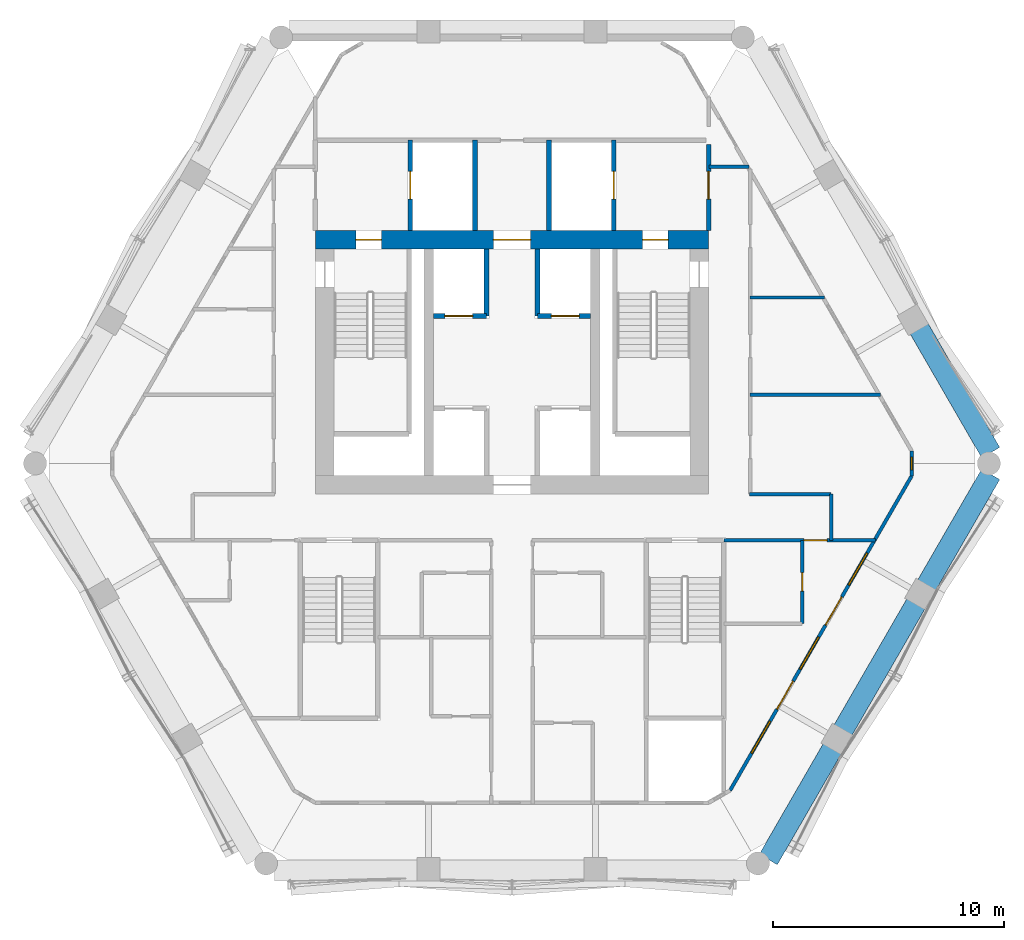
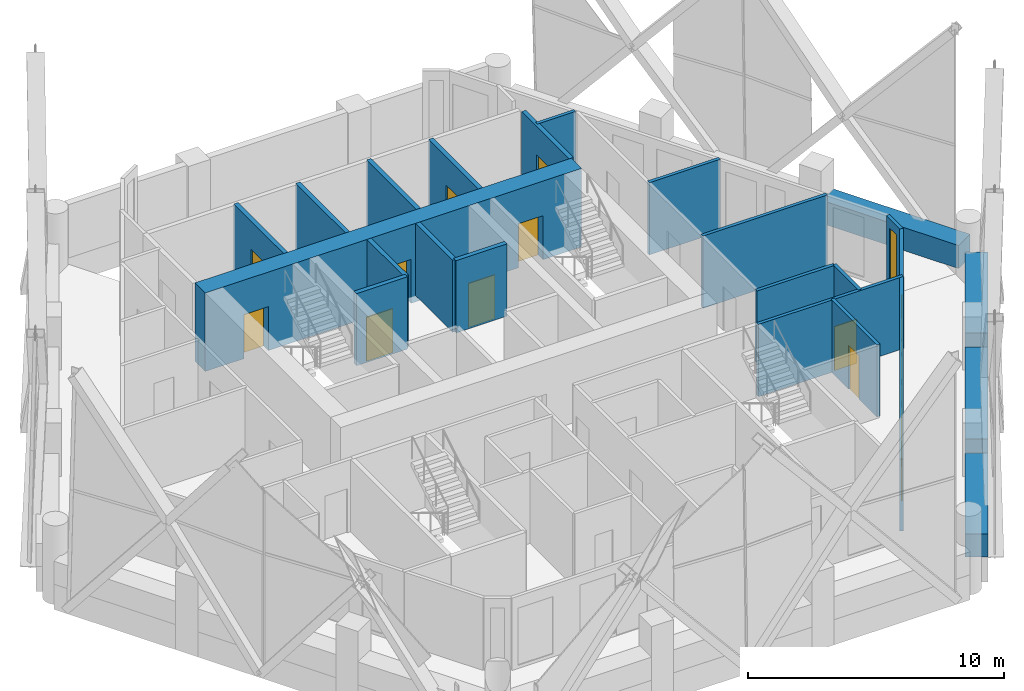
# One storey, part 12 of 18: 23 walls, 12 doors, 4 windows, 16 openings.
"""IFC4 building model written with IfcOpenShell, lengths in metres."""

from ifc_helpers import new_model, si_unit, direction, frame, frame_2d, origin, place, context, subcontext, project, spatial, rectangle, extrude, material, layer, layer_set, type_object, element, fill, save


model = new_model("IFC4")

# Units and contexts
model_context = context("Model", 3, precision=1e-05, world=origin(), true_north=direction((0.0, 1.0)))
body_context = subcontext(model_context, "Body", "Model", "MODEL_VIEW")
ifc_project = project(units=[si_unit("LENGTHUNIT", "METRE"), si_unit("AREAUNIT", "SQUARE_METRE"), si_unit("VOLUMEUNIT", "CUBIC_METRE"), si_unit("PLANEANGLEUNIT", "RADIAN"), si_unit("MASSUNIT", "GRAM", prefix="KILO")], contexts=[model_context])

# Site, building, storey
site_placement = place(None, origin())
site = spatial("IfcSite", under=ifc_project, at=site_placement, CompositionType="ELEMENT")
building_placement = place(site_placement, origin())
building = spatial("IfcBuilding", under=site, at=building_placement, Name="Ostrander Bayou Hotel Tower", CompositionType="ELEMENT")
storey_placement = place(building_placement, frame((0.0, 0.0, 175.75)))
storey = spatial("IfcBuildingStorey", under=building, at=storey_placement, Name="L43", CompositionType="ELEMENT", Elevation=175.75)

# Wall, openings, doors
ifc_material_1 = material(Name="Concrete f'c 60 MPa", Category="concrete")
ifc_layer_1 = layer(ifc_material_1, 0.800048828125)
ifc_layer_set_1 = layer_set([ifc_layer_1], Name="CW7 core wall 800 mm f'c 60 MPa")
wall_type_1 = type_object("IfcWallType", Name="CW7 core wall 800 mm f'c 60 MPa", PredefinedType="SHEAR", material=ifc_layer_set_1)
wall_1_placement = place(storey_placement, frame((-8.5, 9.300048828125, -0.300048828125), z_axis=(0.0, 0.0, 1.0), x_axis=(1.0, 0.0, 0.0)))
wall_1 = element("IfcWall", 1, at=wall_1_placement, inside=storey, type_object=wall_type_1, Name="CW7 L43 N", PredefinedType="SHEAR", context=body_context, shape_type="SweptSolid", body=[
    extrude(rectangle(XDim=17.0, YDim=0.800048828125, at=frame_2d((8.5, 0.0))), origin(), (0.0, 0.0, 1.0), 3.75),
])
opening_1_placement = place(wall_1_placement, frame((7.699951171875, 0.0, 0.0)))
opening_1 = element("IfcOpeningElement", 2, at=opening_1_placement, cuts=wall_1, Name="Opening T41-006", PredefinedType="OPENING", context=body_context, shape_type="SweptSolid", body=[
    extrude(rectangle(XDim=1.60009765625, YDim=2.10009765625, at=frame_2d((0.800048828125, 1.050048828125))), frame((0.0, 0.39990234375, 0.0), z_axis=(0.0, -1.0, 0.0), x_axis=(1.0, 0.0, 0.0)), (0.0, 0.0, 1.0), 0.800048828125),
])
opening_2_placement = place(wall_1_placement, frame((1.75, 0.0, 0.0)))
opening_2 = element("IfcOpeningElement", 3, at=opening_2_placement, cuts=wall_1, Name="Opening T41-007", PredefinedType="OPENING", context=body_context, shape_type="SweptSolid", body=[
    extrude(rectangle(XDim=1.10009765625, YDim=2.10009765625, at=frame_2d((0.550048828125, 1.050048828125))), frame((0.0, 0.39990234375, 0.0), z_axis=(0.0, -1.0, 0.0), x_axis=(1.0, 0.0, 0.0)), (0.0, 0.0, 1.0), 0.800048828125),
])
opening_3_placement = place(wall_1_placement, frame((14.14990234375, 0.0, 0.0)))
opening_3 = element("IfcOpeningElement", 4, at=opening_3_placement, cuts=wall_1, Name="Opening T41-009", PredefinedType="OPENING", context=body_context, shape_type="SweptSolid", body=[
    extrude(rectangle(XDim=1.10009765625, YDim=2.10009765625, at=frame_2d((0.550048828125, 1.050048828125))), frame((0.0, 0.39990234375, 0.0), z_axis=(0.0, -1.0, 0.0), x_axis=(1.0, 0.0, 0.0)), (0.0, 0.0, 1.0), 0.800048828125),
])
ifc_material_2 = material(Name="Timber door leaf", Category="wood")
door_type_1 = type_object("IfcDoorType", Name="D13 double door 1600 x 2100 mm, 1 hour", OperationType="SINGLE_SWING_LEFT", PredefinedType="DOOR", material=ifc_material_2)
door_1_placement = place(opening_1_placement, origin())
door_1 = element("IfcDoor", 5, at=door_1_placement, inside=storey, type_object=door_type_1, Name="dr:L43:006", OperationType="DOUBLE_DOOR_SINGLE_SWING", OverallHeight=2.10009765625, OverallWidth=1.60009765625, PredefinedType="DOOR", context=body_context, shape_type="SweptSolid", body=[
    extrude(rectangle(XDim=1.60009765625, YDim=2.10009765625, at=frame_2d((0.800048828125, 1.050048828125))), frame((0.0, 0.02490234375, 0.0), z_axis=(0.0, -1.0, 0.0), x_axis=(1.0, 0.0, 0.0)), (0.0, 0.0, 1.0), 0.050048828125),
])
fill(opening_1, door_1)
ifc_material_3 = material(Name="Timber door leaf", Category="wood")
door_type_2 = type_object("IfcDoorType", Name="D5 stair door 1100 x 2100 mm, 90 minute", OperationType="SINGLE_SWING_LEFT", PredefinedType="DOOR", material=ifc_material_3)
door_2_placement = place(opening_2_placement, origin())
door_2 = element("IfcDoor", 6, at=door_2_placement, inside=storey, type_object=door_type_2, Name="dr:L43:007", OperationType="SINGLE_SWING_LEFT", OverallHeight=2.10009765625, OverallWidth=1.10009765625, PredefinedType="DOOR", context=body_context, shape_type="SweptSolid", body=[
    extrude(rectangle(XDim=1.10009765625, YDim=2.10009765625, at=frame_2d((0.550048828125, 1.050048828125))), frame((0.0, 0.02490234375, 0.0), z_axis=(0.0, -1.0, 0.0), x_axis=(1.0, 0.0, 0.0)), (0.0, 0.0, 1.0), 0.050048828125),
])
fill(opening_2, door_2)
door_3_placement = place(opening_3_placement, origin())
door_3 = element("IfcDoor", 7, at=door_3_placement, inside=storey, type_object=door_type_2, Name="dr:L43:009", OperationType="SINGLE_SWING_RIGHT", OverallHeight=2.10009765625, OverallWidth=1.10009765625, PredefinedType="DOOR", context=body_context, shape_type="SweptSolid", body=[
    extrude(rectangle(XDim=1.10009765625, YDim=2.10009765625, at=frame_2d((0.550048828125, 1.050048828125))), frame((0.0, 0.02490234375, 0.0), z_axis=(0.0, -1.0, 0.0), x_axis=(1.0, 0.0, 0.0)), (0.0, 0.0, 1.0), 0.050048828125),
])
fill(opening_3, door_3)

# Wall, openings, doors, windows
ifc_material_4 = material(Name="Aluminium framed insulated wall", Category="aluminium")
ifc_layer_2 = layer(ifc_material_4, 0.14990234375)
ifc_layer_set_2 = layer_set([ifc_layer_2], Name="GW1 glass-line wall 150 mm")
wall_type_2 = type_object("IfcWallType", Name="GW1 glass-line wall 150 mm", PredefinedType="SOLIDWALL", material=ifc_layer_set_2)
wall_2_placement = place(storey_placement, frame((9.430419921875, -14.51611328125, 0.0), z_axis=(0.0, 0.0, 1.0), x_axis=(0.500004460396, 0.866022828558, 0.0)))
wall_2 = element("IfcWall", 8, at=wall_2_placement, inside=storey, type_object=wall_type_2, Name="GW1 L43 SE 1", PredefinedType="SOLIDWALL", context=body_context, shape_type="SweptSolid", body=[
    extrude(rectangle(XDim=15.712158203125, YDim=0.14990234375, at=frame_2d((7.85595703125, 0.0))), origin(), (0.0, 0.0, 1.0), 3.449951171875),
])
opening_4_placement = place(wall_2_placement, frame((1.856201171875, 0.0, 0.14990234375)))
opening_4 = element("IfcOpeningElement", 9, at=opening_4_placement, cuts=wall_2, Name="Opening W3", PredefinedType="OPENING", context=body_context, shape_type="SweptSolid", body=[
    extrude(rectangle(XDim=1.60009765625, YDim=2.85009765625, at=frame_2d((0.800048828125, 1.425048828125))), frame((0.0, 0.074951171875, 0.0), z_axis=(0.0, -1.0, 0.0), x_axis=(1.0, 0.0, 0.0)), (0.0, 0.0, 1.0), 0.14990234375),
])
opening_5_placement = place(wall_2_placement, frame((4.05615234375, 0.0, 0.0)))
opening_5 = element("IfcOpeningElement", 10, at=opening_5_placement, cuts=wall_2, Name="Opening T41-804", PredefinedType="OPENING", context=body_context, shape_type="SweptSolid", body=[
    extrude(rectangle(XDim=1.39990234375, YDim=2.39990234375, at=frame_2d((0.699951171875, 1.199951171875))), frame((0.0, 0.074951171875, 0.0), z_axis=(0.0, -1.0, 0.0), x_axis=(1.0, 0.0, 0.0)), (0.0, 0.0, 1.0), 0.14990234375),
])
opening_6_placement = place(wall_2_placement, frame((6.05615234375, 0.0, 0.14990234375)))
opening_6 = element("IfcOpeningElement", 11, at=opening_6_placement, cuts=wall_2, Name="Opening W3", PredefinedType="OPENING", context=body_context, shape_type="SweptSolid", body=[
    extrude(rectangle(XDim=1.60009765625, YDim=2.85009765625, at=frame_2d((0.800048828125, 1.425048828125))), frame((0.0, 0.074951171875, 0.0), z_axis=(0.0, -1.0, 0.0), x_axis=(1.0, 0.0, 0.0)), (0.0, 0.0, 1.0), 0.14990234375),
])
opening_7_placement = place(wall_2_placement, frame((8.256103515625, 0.0, 0.0)))
opening_7 = element("IfcOpeningElement", 12, at=opening_7_placement, cuts=wall_2, Name="Opening T41-805", PredefinedType="OPENING", context=body_context, shape_type="SweptSolid", body=[
    extrude(rectangle(XDim=1.39990234375, YDim=2.39990234375, at=frame_2d((0.699951171875, 1.199951171875))), frame((0.0, 0.074951171875, 0.0), z_axis=(0.0, -1.0, 0.0), x_axis=(1.0, 0.0, 0.0)), (0.0, 0.0, 1.0), 0.14990234375),
])
opening_8_placement = place(wall_2_placement, frame((10.256103515625, 0.0, 0.14990234375)))
opening_8 = element("IfcOpeningElement", 13, at=opening_8_placement, cuts=wall_2, Name="Opening W3", PredefinedType="OPENING", context=body_context, shape_type="SweptSolid", body=[
    extrude(rectangle(XDim=1.60009765625, YDim=2.85009765625, at=frame_2d((0.800048828125, 1.425048828125))), frame((0.0, 0.074951171875, 0.0), z_axis=(0.0, -1.0, 0.0), x_axis=(1.0, 0.0, 0.0)), (0.0, 0.0, 1.0), 0.14990234375),
])
ifc_material_5 = material(Name="Aluminium and clear glass", Category="aluminium")
door_type_3 = type_object("IfcDoorType", Name="SD3 sliding glass door 1400 mm, zone 3", OperationType="SLIDING_TO_LEFT", PredefinedType="DOOR", material=ifc_material_5)
door_4_placement = place(opening_5_placement, origin())
door_4 = element("IfcDoor", 14, at=door_4_placement, inside=storey, type_object=door_type_3, Name="SD3 L43 SE 1", OperationType="SLIDING_TO_LEFT", OverallHeight=2.39990234375, OverallWidth=1.39990234375, PredefinedType="DOOR", context=body_context, shape_type="SweptSolid", body=[
    extrude(rectangle(XDim=1.39990234375, YDim=2.39990234375, at=frame_2d((0.699951171875, 1.199951171875))), frame((0.0, 0.02490234375, 0.0), z_axis=(0.0, -1.0, 0.0), x_axis=(1.0, 0.0, 0.0)), (0.0, 0.0, 1.0), 0.050048828125),
])
fill(opening_5, door_4)
door_5_placement = place(opening_7_placement, origin())
door_5 = element("IfcDoor", 15, at=door_5_placement, inside=storey, type_object=door_type_3, Name="SD3 L43 SE 2", OperationType="SLIDING_TO_RIGHT", OverallHeight=2.39990234375, OverallWidth=1.39990234375, PredefinedType="DOOR", context=body_context, shape_type="SweptSolid", body=[
    extrude(rectangle(XDim=1.39990234375, YDim=2.39990234375, at=frame_2d((0.699951171875, 1.199951171875))), frame((0.0, 0.02490234375, 0.0), z_axis=(0.0, -1.0, 0.0), x_axis=(1.0, 0.0, 0.0)), (0.0, 0.0, 1.0), 0.050048828125),
])
fill(opening_7, door_5)
ifc_material_6 = material(Name="Aluminium and clear glass", Category="aluminium")
window_type_1 = type_object("IfcWindowType", Name="W3 fixed window 1600 mm, zone 3", PartitioningType="SINGLE_PANEL", PredefinedType="WINDOW", material=ifc_material_6)
window_1_placement = place(opening_4_placement, origin())
window_1 = element("IfcWindow", 16, at=window_1_placement, inside=storey, type_object=window_type_1, Name="W3 L43 SE 1", OverallHeight=2.85009765625, OverallWidth=1.60009765625, PartitioningType="SINGLE_PANEL", PredefinedType="WINDOW", context=body_context, shape_type="SweptSolid", body=[
    extrude(rectangle(XDim=1.60009765625, YDim=2.85009765625, at=frame_2d((0.800048828125, 1.425048828125))), frame((0.0, 0.030029296875, 0.0), z_axis=(0.0, -1.0, 0.0), x_axis=(1.0, 0.0, 0.0)), (0.0, 0.0, 1.0), 0.06005859375),
])
fill(opening_4, window_1)
window_2_placement = place(opening_6_placement, origin())
window_2 = element("IfcWindow", 17, at=window_2_placement, inside=storey, type_object=window_type_1, Name="W3 L43 SE 2", OverallHeight=2.85009765625, OverallWidth=1.60009765625, PartitioningType="SINGLE_PANEL", PredefinedType="WINDOW", context=body_context, shape_type="SweptSolid", body=[
    extrude(rectangle(XDim=1.60009765625, YDim=2.85009765625, at=frame_2d((0.800048828125, 1.425048828125))), frame((0.0, 0.030029296875, 0.0), z_axis=(0.0, -1.0, 0.0), x_axis=(1.0, 0.0, 0.0)), (0.0, 0.0, 1.0), 0.06005859375),
])
fill(opening_6, window_2)
window_3_placement = place(opening_8_placement, origin())
window_3 = element("IfcWindow", 18, at=window_3_placement, inside=storey, type_object=window_type_1, Name="W3 L43 SE 3", OverallHeight=2.85009765625, OverallWidth=1.60009765625, PartitioningType="SINGLE_PANEL", PredefinedType="WINDOW", context=body_context, shape_type="SweptSolid", body=[
    extrude(rectangle(XDim=1.60009765625, YDim=2.85009765625, at=frame_2d((0.800048828125, 1.425048828125))), frame((0.0, 0.030029296875, 0.0), z_axis=(0.0, -1.0, 0.0), x_axis=(1.0, 0.0, 0.0)), (0.0, 0.0, 1.0), 0.06005859375),
])
fill(opening_8, window_3)

# Wall, opening, window
wall_3_placement = place(storey_placement, frame((17.28662109375, -0.908935546875, 0.0), z_axis=(0.0, 0.0, 1.0), x_axis=(0.0, 1.0, 0.0)))
wall_3 = element("IfcWall", 19, at=wall_3_placement, inside=storey, type_object=wall_type_2, Name="GW1 L43 corner 5", PredefinedType="SOLIDWALL", context=body_context, shape_type="SweptSolid", body=[
    extrude(rectangle(XDim=1.06494140625, YDim=0.14990234375, at=frame_2d((0.532470703125, 0.0))), origin(), (0.0, 0.0, 1.0), 3.449951171875),
])
opening_9_placement = place(wall_3_placement, frame((0.257568359375, 0.0, 0.14990234375)))
opening_9 = element("IfcOpeningElement", 20, at=opening_9_placement, cuts=wall_3, Name="Opening W19", PredefinedType="OPENING", context=body_context, shape_type="SweptSolid", body=[
    extrude(rectangle(XDim=0.550048828125, YDim=2.85009765625, at=frame_2d((0.27490234375, 1.425048828125))), frame((0.0, 0.074951171875, 0.0), z_axis=(0.0, -1.0, 0.0), x_axis=(1.0, 0.0, 0.0)), (0.0, 0.0, 1.0), 0.14990234375),
])
ifc_material_7 = material(Name="Aluminium and clear glass", Category="aluminium")
window_type_2 = type_object("IfcWindowType", Name="W19 corner window 550 mm", PartitioningType="SINGLE_PANEL", PredefinedType="WINDOW", material=ifc_material_7)
window_4_placement = place(opening_9_placement, origin())
window_4 = element("IfcWindow", 21, at=window_4_placement, inside=storey, type_object=window_type_2, Name="W19 L43 corner 5", OverallHeight=2.85009765625, OverallWidth=0.550048828125, PartitioningType="SINGLE_PANEL", PredefinedType="WINDOW", context=body_context, shape_type="SweptSolid", body=[
    extrude(rectangle(XDim=0.550048828125, YDim=2.85009765625, at=frame_2d((0.27490234375, 1.425048828125))), frame((0.0, 0.030029296875, 0.0), z_axis=(0.0, -1.0, 0.0), x_axis=(1.0, 0.0, 0.0)), (0.0, 0.0, 1.0), 0.06005859375),
])
fill(opening_9, window_4)

# Walls
ifc_material_8 = material(Name="Concrete f'c 40 MPa", Category="concrete")
ifc_layer_3 = layer(ifc_material_8, 0.89990234375)
ifc_layer_set_3 = layer_set([ifc_layer_3], Name="PA1 stone-faced parapet 900 mm")
wall_type_3 = type_object("IfcWallType", Name="PA1 stone-faced parapet 900 mm", PredefinedType="PARAPET", material=ifc_layer_set_3)
wall_4_placement = place(storey_placement, frame((20.7001953125, 0.09326171875, 0.0), z_axis=(0.0, 0.0, 1.0), x_axis=(-0.500000533151, 0.866025095969, 0.0)))
element("IfcWall", 22, at=wall_4_placement, inside=storey, type_object=wall_type_3, Name="PA1 L43 NE-1", PredefinedType="PARAPET", context=body_context, shape_type="SweptSolid", body=[
    extrude(rectangle(XDim=6.18115234375, YDim=0.89990234375, at=frame_2d((3.090576171875, 0.0))), origin(), (0.0, 0.0, 1.0), 1.10009765625),
])
ifc_material_9 = material(Name="Limestone masonry", Category="masonry")
ifc_layer_4 = layer(ifc_material_9, 0.89990234375)
ifc_layer_set_4 = layer_set([ifc_layer_4], Name="PA2 limestone parapet 900 mm")
wall_type_4 = type_object("IfcWallType", Name="PA2 limestone parapet 900 mm", PredefinedType="PARAPET", material=ifc_layer_set_4)
wall_5_placement = place(storey_placement, frame((11.0830078125, -17.50390625, 0.0), z_axis=(0.0, 0.0, 1.0), x_axis=(0.499961976493, 0.866047355554, 0.0)))
element("IfcWall", 23, at=wall_5_placement, inside=storey, type_object=wall_type_4, Name="PA2 L43 SE-1", PredefinedType="PARAPET", context=body_context, shape_type="SweptSolid", body=[
    extrude(rectangle(XDim=5.529296875, YDim=0.89990234375, at=frame_2d((2.7646484375, 0.0))), origin(), (0.0, 0.0, 1.0), 1.10009765625),
])
wall_6_placement = place(storey_placement, frame((14.3173828125, -11.9013671875, 0.0), z_axis=(0.0, 0.0, 1.0), x_axis=(0.500013351051, 0.866017695414, 0.0)))
element("IfcWall", 24, at=wall_6_placement, inside=storey, type_object=wall_type_4, Name="PA2 L43 SE-2", PredefinedType="PARAPET", context=body_context, shape_type="SweptSolid", body=[
    extrude(rectangle(XDim=6.296142578125, YDim=0.89990234375, at=frame_2d((3.14794921875, 0.0))), origin(), (0.0, 0.0, 1.0), 1.10009765625),
])
wall_7_placement = place(storey_placement, frame((17.935546875, -5.634521484375, 0.0), z_axis=(0.0, 0.0, 1.0), x_axis=(0.500014212531, 0.86601719802, 0.0)))
element("IfcWall", 25, at=wall_7_placement, inside=storey, type_object=wall_type_4, Name="PA2 L43 SE-3", PredefinedType="PARAPET", context=body_context, shape_type="SweptSolid", body=[
    extrude(rectangle(XDim=5.529052734375, YDim=0.89990234375, at=frame_2d((2.7646484375, 0.0))), origin(), (0.0, 0.0, 1.0), 1.10009765625),
])

# Wall, opening, door
ifc_material_10 = material(Name="Masonry block", Category="masonry")
ifc_layer_5 = layer(ifc_material_10, 0.199951171875)
ifc_layer_set_5 = layer_set([ifc_layer_5], Name="PT5 stair enclosure wall 200 mm masonry, 2 hour")
wall_type_5 = type_object("IfcWallType", Name="PT5 stair enclosure wall 200 mm masonry, 2 hour", PredefinedType="PARTITIONING", material=ifc_layer_set_5)
wall_8_placement = place(storey_placement, frame((8.5, 9.699951171875, 0.0), z_axis=(0.0, 0.0, 1.0), x_axis=(0.0, 1.0, 0.0)))
wall_8 = element("IfcWall", 26, at=wall_8_placement, inside=storey, type_object=wall_type_5, Name="cs:L43:025", PredefinedType="PARTITIONING", context=body_context, shape_type="SweptSolid", body=[
    extrude(rectangle(XDim=3.724853515625, YDim=0.199951171875, at=frame_2d((1.8623046875, 0.0))), origin(), (0.0, 0.0, 1.0), 3.449951171875),
])
opening_10_placement = place(wall_8_placement, frame((1.35009765625, 0.0, 0.0)))
opening_10 = element("IfcOpeningElement", 27, at=opening_10_placement, cuts=wall_8, Name="Opening T41-016", PredefinedType="OPENING", context=body_context, shape_type="SweptSolid", body=[
    extrude(rectangle(XDim=1.199951171875, YDim=2.10009765625, at=frame_2d((0.60009765625, 1.050048828125))), frame((0.0, 0.10009765625, 0.0), z_axis=(0.0, -1.0, 0.0), x_axis=(1.0, 0.0, 0.0)), (0.0, 0.0, 1.0), 0.199951171875),
])
ifc_material_11 = material(Name="Timber door leaf", Category="wood")
door_type_4 = type_object("IfcDoorType", Name="D7 lobby door 1200 x 2100 mm, 1 hour", OperationType="SINGLE_SWING_LEFT", PredefinedType="DOOR", material=ifc_material_11)
door_6_placement = place(opening_10_placement, origin())
door_6 = element("IfcDoor", 28, at=door_6_placement, inside=storey, type_object=door_type_4, Name="dr:L43:016", OperationType="SINGLE_SWING_LEFT", OverallHeight=2.10009765625, OverallWidth=1.199951171875, PredefinedType="DOOR", context=body_context, shape_type="SweptSolid", body=[
    extrude(rectangle(XDim=1.199951171875, YDim=2.10009765625, at=frame_2d((0.60009765625, 1.050048828125))), frame((0.0, 0.02490234375, 0.0), z_axis=(0.0, -1.0, 0.0), x_axis=(1.0, 0.0, 0.0)), (0.0, 0.0, 1.0), 0.050048828125),
])
fill(opening_10, door_6)

wall_9_placement = place(storey_placement, frame((-4.39990234375, 9.699951171875, 0.0), z_axis=(0.0, 0.0, 1.0), x_axis=(0.0, 1.0, 0.0)))
wall_9 = element("IfcWall", 29, at=wall_9_placement, inside=storey, type_object=wall_type_5, Name="cs:L43:026", PredefinedType="PARTITIONING", context=body_context, shape_type="SweptSolid", body=[
    extrude(rectangle(XDim=3.900146484375, YDim=0.199951171875, at=frame_2d((1.9501953125, 0.0))), origin(), (0.0, 0.0, 1.0), 3.449951171875),
])
opening_11_placement = place(wall_9_placement, frame((1.35009765625, 0.0, 0.0)))
opening_11 = element("IfcOpeningElement", 30, at=opening_11_placement, cuts=wall_9, Name="Opening T41-013", PredefinedType="OPENING", context=body_context, shape_type="SweptSolid", body=[
    extrude(rectangle(XDim=1.199951171875, YDim=2.10009765625, at=frame_2d((0.60009765625, 1.050048828125))), frame((0.0, 0.10009765625, 0.0), z_axis=(0.0, -1.0, 0.0), x_axis=(1.0, 0.0, 0.0)), (0.0, 0.0, 1.0), 0.199951171875),
])
ifc_material_12 = material(Name="Stainless steel sliding door", Category="steel")
door_type_5 = type_object("IfcDoorType", Name="LD1 lift landing door 1200 x 2100 mm", OperationType="SINGLE_SWING_LEFT", PredefinedType="DOOR", material=ifc_material_12)
door_7_placement = place(opening_11_placement, origin())
door_7 = element("IfcDoor", 31, at=door_7_placement, inside=storey, type_object=door_type_5, Name="dr:L43:013", OperationType="SLIDING_TO_LEFT", OverallHeight=2.10009765625, OverallWidth=1.199951171875, PredefinedType="DOOR", context=body_context, shape_type="SweptSolid", body=[
    extrude(rectangle(XDim=1.199951171875, YDim=2.10009765625, at=frame_2d((0.60009765625, 1.050048828125))), frame((0.0, 0.02490234375, 0.0), z_axis=(0.0, -1.0, 0.0), x_axis=(1.0, 0.0, 0.0)), (0.0, 0.0, 1.0), 0.050048828125),
])
fill(opening_11, door_7)

wall_10_placement = place(storey_placement, frame((4.39990234375, 9.699951171875, 0.0), z_axis=(0.0, 0.0, 1.0), x_axis=(0.0, 1.0, 0.0)))
wall_10 = element("IfcWall", 32, at=wall_10_placement, inside=storey, type_object=wall_type_5, Name="cs:L43:027", PredefinedType="PARTITIONING", context=body_context, shape_type="SweptSolid", body=[
    extrude(rectangle(XDim=3.900146484375, YDim=0.199951171875, at=frame_2d((1.9501953125, 0.0))), origin(), (0.0, 0.0, 1.0), 3.449951171875),
])
opening_12_placement = place(wall_10_placement, frame((1.35009765625, 0.0, 0.0)))
opening_12 = element("IfcOpeningElement", 33, at=opening_12_placement, cuts=wall_10, Name="Opening T41-015", PredefinedType="OPENING", context=body_context, shape_type="SweptSolid", body=[
    extrude(rectangle(XDim=1.199951171875, YDim=2.10009765625, at=frame_2d((0.60009765625, 1.050048828125))), frame((0.0, 0.10009765625, 0.0), z_axis=(0.0, -1.0, 0.0), x_axis=(1.0, 0.0, 0.0)), (0.0, 0.0, 1.0), 0.199951171875),
])
door_8_placement = place(opening_12_placement, origin())
door_8 = element("IfcDoor", 34, at=door_8_placement, inside=storey, type_object=door_type_5, Name="dr:L43:015", OperationType="SLIDING_TO_LEFT", OverallHeight=2.10009765625, OverallWidth=1.199951171875, PredefinedType="DOOR", context=body_context, shape_type="SweptSolid", body=[
    extrude(rectangle(XDim=1.199951171875, YDim=2.10009765625, at=frame_2d((0.60009765625, 1.050048828125))), frame((0.0, 0.02490234375, 0.0), z_axis=(0.0, -1.0, 0.0), x_axis=(1.0, 0.0, 0.0)), (0.0, 0.0, 1.0), 0.050048828125),
])
fill(opening_12, door_8)

ifc_material_13 = material(Name="Masonry block", Category="masonry")
ifc_layer_6 = layer(ifc_material_13, 0.199951171875)
ifc_layer_set_6 = layer_set([ifc_layer_6], Name="PT6 lift shaft wall 200 mm masonry, 2 hour")
wall_type_6 = type_object("IfcWallType", Name="PT6 lift shaft wall 200 mm masonry, 2 hour", PredefinedType="PARTITIONING", material=ifc_layer_set_6)
wall_11_placement = place(storey_placement, frame((-3.39990234375, 6.0, 0.0), z_axis=(0.0, 0.0, 1.0), x_axis=(1.0, 0.0, 0.0)))
wall_11 = element("IfcWall", 35, at=wall_11_placement, inside=storey, type_object=wall_type_6, Name="cs:L43:002", PredefinedType="PARTITIONING", context=body_context, shape_type="SweptSolid", body=[
    extrude(rectangle(XDim=2.2998046875, YDim=0.199951171875, at=frame_2d((1.14990234375, 0.0))), origin(), (0.0, 0.0, 1.0), 3.449951171875),
])
opening_13_placement = place(wall_11_placement, frame((0.5, 0.0, 0.0)))
opening_13 = element("IfcOpeningElement", 36, at=opening_13_placement, cuts=wall_11, Name="Opening T41-003", PredefinedType="OPENING", context=body_context, shape_type="SweptSolid", body=[
    extrude(rectangle(XDim=1.199951171875, YDim=2.10009765625, at=frame_2d((0.60009765625, 1.050048828125))), frame((0.0, 0.10009765625, 0.0), z_axis=(0.0, -1.0, 0.0), x_axis=(1.0, 0.0, 0.0)), (0.0, 0.0, 1.0), 0.199951171875),
])
door_9_placement = place(opening_13_placement, origin())
door_9 = element("IfcDoor", 37, at=door_9_placement, inside=storey, type_object=door_type_5, Name="dr:L43:003", OperationType="SLIDING_TO_LEFT", OverallHeight=2.10009765625, OverallWidth=1.199951171875, PredefinedType="DOOR", context=body_context, shape_type="SweptSolid", body=[
    extrude(rectangle(XDim=1.199951171875, YDim=2.10009765625, at=frame_2d((0.60009765625, 1.050048828125))), frame((0.0, 0.02490234375, 0.0), z_axis=(0.0, -1.0, 0.0), x_axis=(1.0, 0.0, 0.0)), (0.0, 0.0, 1.0), 0.050048828125),
])
fill(opening_13, door_9)

wall_12_placement = place(storey_placement, frame((1.10009765625, 6.0, 0.0), z_axis=(0.0, 0.0, 1.0), x_axis=(1.0, 0.0, 0.0)))
wall_12 = element("IfcWall", 38, at=wall_12_placement, inside=storey, type_object=wall_type_6, Name="cs:L43:004", PredefinedType="PARTITIONING", context=body_context, shape_type="SweptSolid", body=[
    extrude(rectangle(XDim=2.2998046875, YDim=0.199951171875, at=frame_2d((1.14990234375, 0.0))), origin(), (0.0, 0.0, 1.0), 3.449951171875),
])
opening_14_placement = place(wall_12_placement, frame((0.60009765625, 0.0, 0.0)))
opening_14 = element("IfcOpeningElement", 39, at=opening_14_placement, cuts=wall_12, Name="Opening T41-004", PredefinedType="OPENING", context=body_context, shape_type="SweptSolid", body=[
    extrude(rectangle(XDim=1.199951171875, YDim=2.10009765625, at=frame_2d((0.60009765625, 1.050048828125))), frame((0.0, 0.10009765625, 0.0), z_axis=(0.0, -1.0, 0.0), x_axis=(1.0, 0.0, 0.0)), (0.0, 0.0, 1.0), 0.199951171875),
])
door_10_placement = place(opening_14_placement, origin())
door_10 = element("IfcDoor", 40, at=door_10_placement, inside=storey, type_object=door_type_5, Name="dr:L43:004", OperationType="SLIDING_TO_LEFT", OverallHeight=2.10009765625, OverallWidth=1.199951171875, PredefinedType="DOOR", context=body_context, shape_type="SweptSolid", body=[
    extrude(rectangle(XDim=1.199951171875, YDim=2.10009765625, at=frame_2d((0.60009765625, 1.050048828125))), frame((0.0, 0.02490234375, 0.0), z_axis=(0.0, -1.0, 0.0), x_axis=(1.0, 0.0, 0.0)), (0.0, 0.0, 1.0), 0.050048828125),
])
fill(opening_14, door_10)

# Walls
for number, where, z_axis, x_axis, name in (
    (41, (-1.10009765625, 6.0, 0.0), (0.0, 0.0, 1.0), (0.0, 1.0, 0.0), "cs:L43:007"),
    (42, (1.10009765625, 6.0, 0.0), (0.0, 0.0, 1.0), (0.0, 1.0, 0.0), "cs:L43:008"),
):
    element("IfcWall", number, at=place(storey_placement, frame(where, z_axis=z_axis, x_axis=x_axis)), inside=storey, type_object=wall_type_6, Name=name, PredefinedType="PARTITIONING", context=body_context, shape_type="SweptSolid", body=[
        extrude(rectangle(XDim=2.89990234375, YDim=0.199951171875, at=frame_2d((1.449951171875, 0.0))), origin(), (0.0, 0.0, 1.0), 3.449951171875),
    ])
for number, where, z_axis, x_axis, name in (
    (43, (-1.60009765625, 9.699951171875, 0.0), (0.0, 0.0, 1.0), (0.0, 1.0, 0.0), "cs:L43:028"),
    (44, (1.60009765625, 9.699951171875, 0.0), (0.0, 0.0, 1.0), (0.0, 1.0, 0.0), "cs:L43:029"),
):
    element("IfcWall", number, at=place(storey_placement, frame(where, z_axis=z_axis, x_axis=x_axis)), inside=storey, type_object=wall_type_6, Name=name, PredefinedType="PARTITIONING", context=body_context, shape_type="SweptSolid", body=[
        extrude(rectangle(XDim=3.900146484375, YDim=0.199951171875, at=frame_2d((1.9501953125, 0.0))), origin(), (0.0, 0.0, 1.0), 3.449951171875),
    ])

# Wall, opening, door
ifc_material_14 = material(Name="Gypsum board partition", Category="finish")
ifc_layer_7 = layer(ifc_material_14, 0.14990234375)
ifc_layer_set_7 = layer_set([ifc_layer_7], Name="PT8 service band wall 150 mm, 1 hour")
wall_type_7 = type_object("IfcWallType", Name="PT8 service band wall 150 mm, 1 hour", PredefinedType="PARTITIONING", material=ifc_layer_set_7)
wall_13_placement = place(storey_placement, frame((9.159912109375, -3.699951171875, 0.0), z_axis=(0.0, 0.0, 1.0), x_axis=(1.0, 0.0, 0.0)))
wall_13 = element("IfcWall", 45, at=wall_13_placement, inside=storey, type_object=wall_type_7, Name="gw:L43:013", PredefinedType="PARTITIONING", context=body_context, shape_type="SweptSolid", body=[
    extrude(rectangle(XDim=6.567138671875, YDim=0.14990234375, at=frame_2d((3.28369140625, 0.0))), origin(), (0.0, 0.0, 1.0), 3.449951171875),
])
opening_15_placement = place(wall_13_placement, frame((3.465087890625, 0.0, 0.0)))
opening_15 = element("IfcOpeningElement", 46, at=opening_15_placement, cuts=wall_13, Name="Opening T41-410", PredefinedType="OPENING", context=body_context, shape_type="SweptSolid", body=[
    extrude(rectangle(XDim=1.0, YDim=2.10009765625, at=frame_2d((0.5, 1.050048828125))), frame((0.0, 0.074951171875, 0.0), z_axis=(0.0, -1.0, 0.0), x_axis=(1.0, 0.0, 0.0)), (0.0, 0.0, 1.0), 0.14990234375),
])
ifc_material_15 = material(Name="Timber door leaf", Category="wood")
door_type_6 = type_object("IfcDoorType", Name="D1 guest room door 1000 x 2100 mm, 30 minute", OperationType="SINGLE_SWING_LEFT", PredefinedType="DOOR", material=ifc_material_15)
door_11_placement = place(opening_15_placement, origin())
door_11 = element("IfcDoor", 47, at=door_11_placement, inside=storey, type_object=door_type_6, Name="dr:L43:410", OperationType="SINGLE_SWING_RIGHT", OverallHeight=2.10009765625, OverallWidth=1.0, PredefinedType="DOOR", context=body_context, shape_type="SweptSolid", body=[
    extrude(rectangle(XDim=1.0, YDim=2.10009765625, at=frame_2d((0.5, 1.050048828125))), frame((0.0, 0.02490234375, 0.0), z_axis=(0.0, -1.0, 0.0), x_axis=(1.0, 0.0, 0.0)), (0.0, 0.0, 1.0), 0.050048828125),
])
fill(opening_15, door_11)

# Walls
wall_14_placement = place(storey_placement, frame((10.260009765625, -1.699951171875, 0.0), z_axis=(0.0, 0.0, 1.0), x_axis=(1.0, 0.0, 0.0)))
element("IfcWall", 48, at=wall_14_placement, inside=storey, type_object=wall_type_7, Name="gw:L43:015", PredefinedType="PARTITIONING", context=body_context, shape_type="SweptSolid", body=[
    extrude(rectangle(XDim=3.5400390625, YDim=0.14990234375, at=frame_2d((1.77001953125, 0.0))), origin(), (0.0, 0.0, 1.0), 3.449951171875),
])
wall_15_placement = place(storey_placement, frame((10.300048828125, 2.60009765625, 0.0), z_axis=(0.0, 0.0, 1.0), x_axis=(1.0, 0.0, 0.0)))
element("IfcWall", 49, at=wall_15_placement, inside=storey, type_object=wall_type_7, Name="gw:L43:017", PredefinedType="PARTITIONING", context=body_context, shape_type="SweptSolid", body=[
    extrude(rectangle(XDim=5.626953125, YDim=0.14990234375, at=frame_2d((2.8134765625, 0.0))), origin(), (0.0, 0.0, 1.0), 3.449951171875),
])
wall_16_placement = place(storey_placement, frame((10.300048828125, 6.800048828125, 0.0), z_axis=(0.0, 0.0, 1.0), x_axis=(1.0, 0.0, 0.0)))
element("IfcWall", 50, at=wall_16_placement, inside=storey, type_object=wall_type_7, Name="gw:L43:019", PredefinedType="PARTITIONING", context=body_context, shape_type="SweptSolid", body=[
    extrude(rectangle(XDim=3.202880859375, YDim=0.14990234375, at=frame_2d((1.6015625, 0.0))), origin(), (0.0, 0.0, 1.0), 3.449951171875),
])
wall_17_placement = place(storey_placement, frame((8.510009765625, 12.449951171875, 0.0), z_axis=(0.0, 0.0, 1.0), x_axis=(1.0, 0.0, 0.0)))
element("IfcWall", 51, at=wall_17_placement, inside=storey, type_object=wall_type_7, Name="gw:L43:022", PredefinedType="PARTITIONING", context=body_context, shape_type="SweptSolid", body=[
    extrude(rectangle(XDim=1.73095703125, YDim=0.14990234375, at=frame_2d((0.865478515625, 0.0))), origin(), (0.0, 0.0, 1.0), 3.449951171875),
])
wall_18_placement = place(storey_placement, frame((13.800048828125, -3.699951171875, 0.0), z_axis=(0.0, 0.0, 1.0), x_axis=(0.0, 1.0, 0.0)))
element("IfcWall", 52, at=wall_18_placement, inside=storey, type_object=wall_type_7, Name="gw:L43:023", PredefinedType="PARTITIONING", context=body_context, shape_type="SweptSolid", body=[
    extrude(rectangle(XDim=2.0, YDim=0.14990234375, at=frame_2d((1.0, 0.0))), origin(), (0.0, 0.0, 1.0), 3.449951171875),
])

# Wall, opening, door
wall_19_placement = place(storey_placement, frame((12.550048828125, -7.300048828125, 0.0), z_axis=(0.0, 0.0, 1.0), x_axis=(0.0, 1.0, 0.0)))
wall_19 = element("IfcWall", 53, at=wall_19_placement, inside=storey, type_object=wall_type_7, Name="gw:L43:024", PredefinedType="PARTITIONING", context=body_context, shape_type="SweptSolid", body=[
    extrude(rectangle(XDim=3.60009765625, YDim=0.14990234375, at=frame_2d((1.800048828125, 0.0))), origin(), (0.0, 0.0, 1.0), 3.449951171875),
])
opening_16_placement = place(wall_19_placement, frame((1.39990234375, 0.0, 0.0)))
opening_16 = element("IfcOpeningElement", 54, at=opening_16_placement, cuts=wall_19, Name="Opening T41-411", PredefinedType="OPENING", context=body_context, shape_type="SweptSolid", body=[
    extrude(rectangle(XDim=0.800048828125, YDim=2.10009765625, at=frame_2d((0.39990234375, 1.050048828125))), frame((0.0, 0.074951171875, 0.0), z_axis=(0.0, -1.0, 0.0), x_axis=(1.0, 0.0, 0.0)), (0.0, 0.0, 1.0), 0.14990234375),
])
ifc_material_16 = material(Name="Timber door leaf", Category="wood")
door_type_7 = type_object("IfcDoorType", Name="D2 bathroom door 800 x 2100 mm", OperationType="SINGLE_SWING_LEFT", PredefinedType="DOOR", material=ifc_material_16)
door_12_placement = place(opening_16_placement, origin())
door_12 = element("IfcDoor", 55, at=door_12_placement, inside=storey, type_object=door_type_7, Name="dr:L43:411", OperationType="SINGLE_SWING_RIGHT", OverallHeight=2.10009765625, OverallWidth=0.800048828125, PredefinedType="DOOR", context=body_context, shape_type="SweptSolid", body=[
    extrude(rectangle(XDim=0.800048828125, YDim=2.10009765625, at=frame_2d((0.39990234375, 1.050048828125))), frame((0.0, 0.02490234375, 0.0), z_axis=(0.0, -1.0, 0.0), x_axis=(1.0, 0.0, 0.0)), (0.0, 0.0, 1.0), 0.050048828125),
])
fill(opening_16, door_12)

save(model, "model.ifc")
